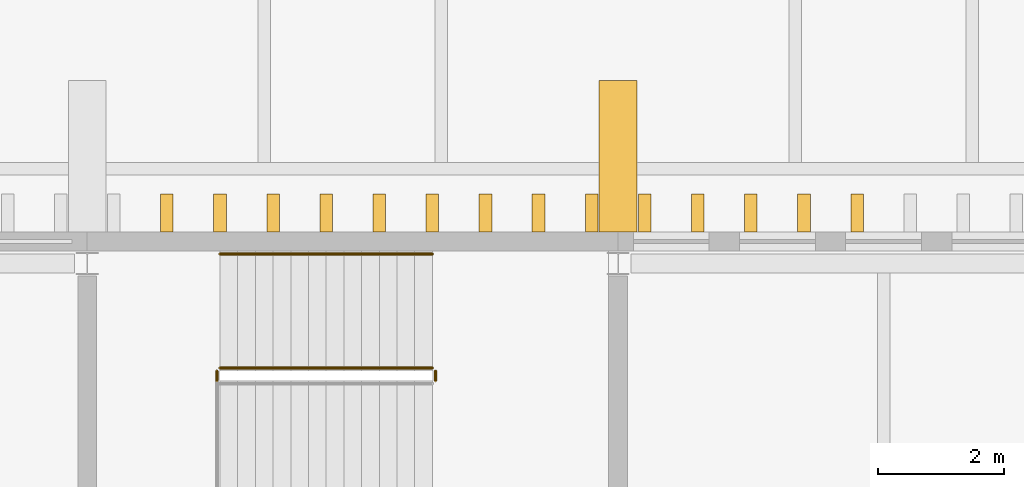
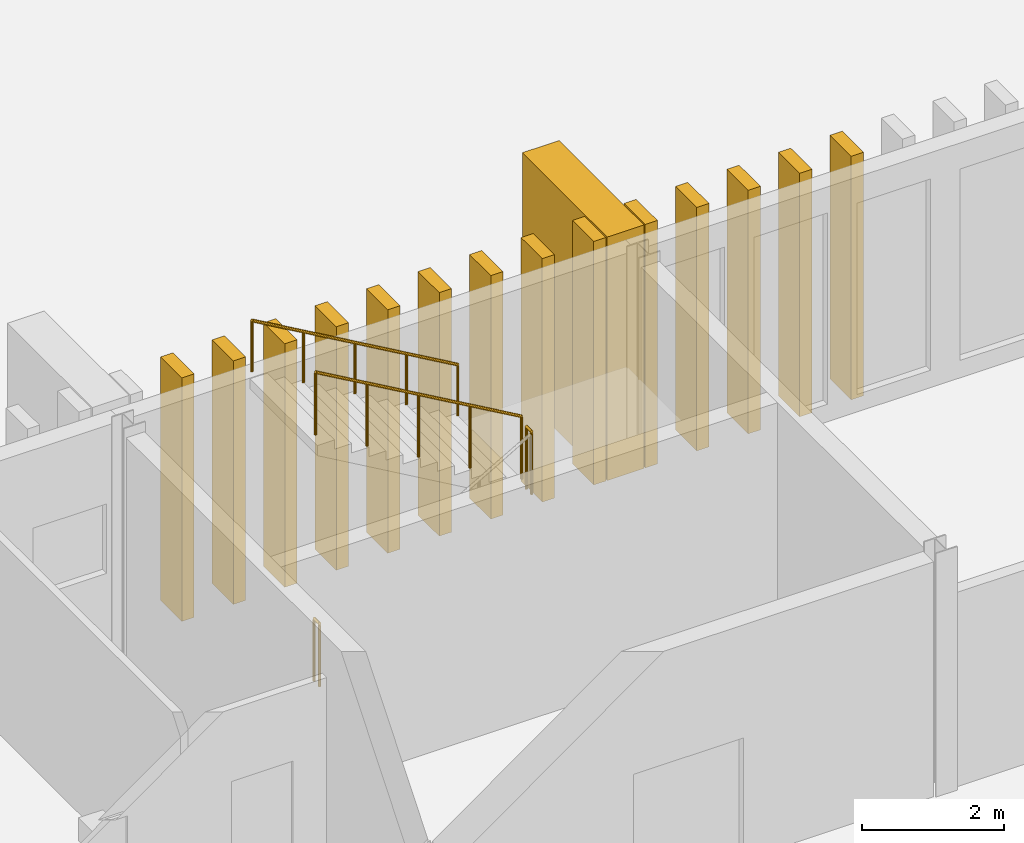
# One storey, part 81 of 96: 15 coverings, 4 railings.
"""IFC4 building model written with IfcOpenShell, lengths in metres."""

from ifc_helpers import new_model, si_unit, direction, frame, origin, origin_2d, place, context, subcontext, project, spatial, rectangle, circle, extrude, material, type_object, element, save


model = new_model("IFC4")

# Units and contexts
model_context = context("Model", 3, precision=1e-05, world=origin(), true_north=direction((0.0, 1.0)))
body_context = subcontext(model_context, "Body", "Model", "MODEL_VIEW")
ifc_project = project(units=[si_unit("LENGTHUNIT", "METRE"), si_unit("AREAUNIT", "SQUARE_METRE"), si_unit("VOLUMEUNIT", "CUBIC_METRE"), si_unit("PLANEANGLEUNIT", "RADIAN"), si_unit("MASSUNIT", "GRAM", prefix="KILO")], contexts=[model_context])

# Site, building, storey
site_placement = place(None, origin())
site = spatial("IfcSite", under=ifc_project, at=site_placement, CompositionType="ELEMENT")
building_placement = place(site_placement, origin())
building = spatial("IfcBuilding", under=site, at=building_placement, Name="Cresset Court Congress Hotel", CompositionType="ELEMENT")
storey_placement = place(building_placement, frame((0.0, 0.0, 6.0)))
storey = spatial("IfcBuildingStorey", under=building, at=storey_placement, Name="L01", CompositionType="ELEMENT", Elevation=6.0)

# Railings
ifc_material_1 = material(Name="Steel and laminated glass", Category="steel")
railing_type_1 = type_object("IfcRailingType", Name="Guard 1100 steel and glass", PredefinedType="GUARDRAIL", material=ifc_material_1)
railing_1_placement = place(storey_placement, frame((64.31005859375, 23.35009765625, 2.10009765625)))
element("IfcRailing", 1, at=railing_1_placement, inside=storey, type_object=railing_type_1, Name="L01 ST-B3 stair guard 2", PredefinedType="GUARDRAIL", context=body_context, shape_type="SweptSolid", body=[
    extrude(circle(Radius=0.02392578125, at=origin_2d()), frame((0.0, 0.0, 1.076171875), z_axis=(0.0, 1.0, 0.0), x_axis=(-1.0, 0.0, 0.0)), (0.0, 0.0, 1.0), 0.14990234375),
    extrude(circle(Radius=0.02099609375, at=origin_2d()), origin(), (0.0, 0.0, 1.0), 1.052001953125),
    extrude(circle(Radius=0.02099609375, at=origin_2d()), frame((0.0, 0.14990234375, 0.0)), (0.0, 0.0, 1.0), 1.052001953125),
])
railing_2_placement = place(storey_placement, frame((64.260009765625, 23.550048828125, 2.261474609375)))
element("IfcRailing", 2, at=railing_2_placement, inside=storey, type_object=railing_type_1, Name="L01 ST-B3 stair guard 3", PredefinedType="GUARDRAIL", context=body_context, shape_type="SweptSolid", body=[
    extrude(circle(Radius=0.02392578125, at=origin_2d()), frame((0.0, 0.0, 1.076171875), z_axis=(-0.866190824863, 0.0, 0.499713372768), x_axis=(0.0, -1.0, 0.0)), (0.0, 0.0, 1.0), 3.879150390625),
    extrude(circle(Radius=0.02099609375, at=origin_2d()), origin(), (0.0, 0.0, 1.0), 1.052001953125),
    extrude(circle(Radius=0.02099609375, at=origin_2d()), frame((-0.840087890625, 0.0, 0.484619140625)), (0.0, 0.0, 1.0), 1.052001953125),
    extrude(circle(Radius=0.02099609375, at=origin_2d()), frame((-1.68017578125, 0.0, 0.96923828125)), (0.0, 0.0, 1.0), 1.052001953125),
    extrude(circle(Radius=0.02099609375, at=origin_2d()), frame((-2.52001953125, 0.0, 1.453857421875)), (0.0, 0.0, 1.0), 1.052001953125),
    extrude(circle(Radius=0.02099609375, at=origin_2d()), frame((-3.360107421875, 0.0, 1.9384765625)), (0.0, 0.0, 1.0), 1.052001953125),
])
railing_3_placement = place(storey_placement, frame((60.85009765625, 23.35009765625, 0.0)))
element("IfcRailing", 3, at=railing_3_placement, inside=storey, type_object=railing_type_1, Name="L01 ST-B3 stair guard 4", PredefinedType="GUARDRAIL", context=body_context, shape_type="SweptSolid", body=[
    extrude(circle(Radius=0.02392578125, at=origin_2d()), frame((0.0, 0.0, 1.076171875), z_axis=(0.0, 1.0, 0.0), x_axis=(-1.0, 0.0, 0.0)), (0.0, 0.0, 1.0), 0.14990234375),
    extrude(circle(Radius=0.02099609375, at=origin_2d()), origin(), (0.0, 0.0, 1.0), 1.052001953125),
    extrude(circle(Radius=0.02099609375, at=origin_2d()), frame((0.0, 0.14990234375, 0.0)), (0.0, 0.0, 1.0), 1.052001953125),
])
ifc_material_2 = material(Name="Stainless steel", Category="steel")
railing_type_2 = type_object("IfcRailingType", Name="Handrail 48 stainless", PredefinedType="HANDRAIL", material=ifc_material_2)
railing_4_placement = place(storey_placement, frame((64.260009765625, 25.35009765625, 2.261474609375)))
element("IfcRailing", 4, at=railing_4_placement, inside=storey, type_object=railing_type_2, Name="L01 ST-B3 stair handrail 2", PredefinedType="HANDRAIL", context=body_context, shape_type="SweptSolid", body=[
    extrude(circle(Radius=0.02392578125, at=origin_2d()), frame((0.0, 0.0, 0.8759765625), z_axis=(-0.866190824863, 0.0, 0.499713372768), x_axis=(0.0, -1.0, 0.0)), (0.0, 0.0, 1.0), 3.879150390625),
    extrude(circle(Radius=0.02099609375, at=origin_2d()), origin(), (0.0, 0.0, 1.0), 0.851806640625),
    extrude(circle(Radius=0.02099609375, at=origin_2d()), frame((-0.840087890625, 0.0, 0.484619140625)), (0.0, 0.0, 1.0), 0.851806640625),
    extrude(circle(Radius=0.02099609375, at=origin_2d()), frame((-1.68017578125, 0.0, 0.96923828125)), (0.0, 0.0, 1.0), 0.851806640625),
    extrude(circle(Radius=0.02099609375, at=origin_2d()), frame((-2.52001953125, 0.0, 1.453857421875)), (0.0, 0.0, 1.0), 0.851806640625),
    extrude(circle(Radius=0.02099609375, at=origin_2d()), frame((-3.360107421875, 0.0, 1.9384765625)), (0.0, 0.0, 1.0), 0.851806640625),
])

# Coverings
ifc_material_3 = material(Name="Precast concrete C50", Category="concrete")
covering_type_1 = type_object("IfcCoveringType", Name="Precast stone fin 200x600 variant 1", PredefinedType="CLADDING", material=ifc_material_3)
for number, where, z_axis, x_axis, name in (
    (5, (60.06005859375, 26.0, 0.0), (0.0, 0.0, 1.0), (1.0, 0.0, 0.0), "Fin N01-061"),
    (6, (60.89990234375, 26.0, 0.0), (0.0, 0.0, 1.0), (1.0, 0.0, 0.0), "Fin N01-062"),
    (7, (61.739990234375, 26.0, 0.0), (0.0, 0.0, 1.0), (1.0, 0.0, 0.0), "Fin N01-063"),
    (8, (62.580078125, 26.0, 0.0), (0.0, 0.0, 1.0), (1.0, 0.0, 0.0), "Fin N01-064"),
    (9, (63.419921875, 26.0, 0.0), (0.0, 0.0, 1.0), (1.0, 0.0, 0.0), "Fin N01-065"),
    (10, (64.260009765625, 26.0, 0.0), (0.0, 0.0, 1.0), (1.0, 0.0, 0.0), "Fin N01-066"),
    (11, (65.10009765625, 26.0, 0.0), (0.0, 0.0, 1.0), (1.0, 0.0, 0.0), "Fin N01-067"),
    (12, (65.93994140625, 26.0, 0.0), (0.0, 0.0, 1.0), (1.0, 0.0, 0.0), "Fin N01-068"),
    (13, (66.780029296875, 26.0, 0.0), (0.0, 0.0, 1.0), (1.0, 0.0, 0.0), "Fin N01-069"),
    (14, (67.6201171875, 26.0, 0.0), (0.0, 0.0, 1.0), (1.0, 0.0, 0.0), "Fin N01-070"),
    (15, (68.4599609375, 26.0, 0.0), (0.0, 0.0, 1.0), (1.0, 0.0, 0.0), "Fin N01-071"),
    (16, (69.300048828125, 26.0, 0.0), (0.0, 0.0, 1.0), (1.0, 0.0, 0.0), "Fin N01-072"),
    (17, (70.139892578125, 26.0, 0.0), (0.0, 0.0, 1.0), (1.0, 0.0, 0.0), "Fin N01-073"),
    (18, (70.97998046875, 26.0, 0.0), (0.0, 0.0, 1.0), (1.0, 0.0, 0.0), "Fin N01-074"),
):
    element("IfcCovering", number, at=place(storey_placement, frame(where, z_axis=z_axis, x_axis=x_axis)), inside=storey, type_object=covering_type_1, Name=name, PredefinedType="CLADDING", context=body_context, shape_type="SweptSolid", body=[
        extrude(rectangle(XDim=0.199951171875, YDim=0.60009765625, at=origin_2d()), origin(), (0.0, 0.0, 1.0), 4.199951171875),
    ])
ifc_material_4 = material(Name="Precast concrete C50", Category="concrete")
covering_type_2 = type_object("IfcCoveringType", Name="Precast stone pier 600x2400", PredefinedType="CLADDING", material=ifc_material_4)
covering_placement = place(storey_placement, frame((67.199951171875, 26.89990234375, 0.0), z_axis=(0.0, 0.0, 1.0), x_axis=(1.0, 0.0, 0.0)))
element("IfcCovering", 19, at=covering_placement, inside=storey, type_object=covering_type_2, Name="Pier N01-07", PredefinedType="CLADDING", context=body_context, shape_type="SweptSolid", body=[
    extrude(rectangle(XDim=0.60009765625, YDim=2.39990234375, at=origin_2d()), origin(), (0.0, 0.0, 1.0), 4.199951171875),
])

save(model, "model.ifc")
